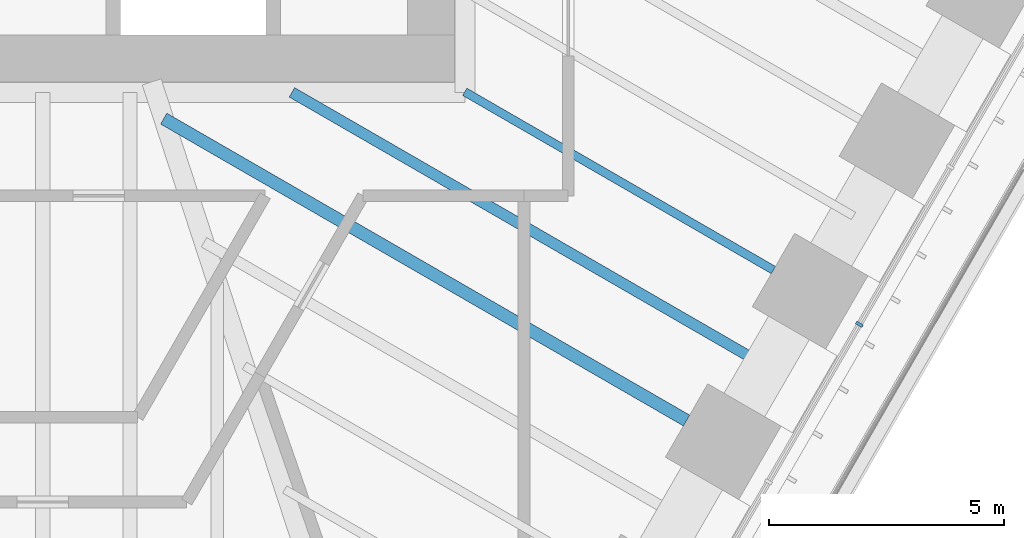
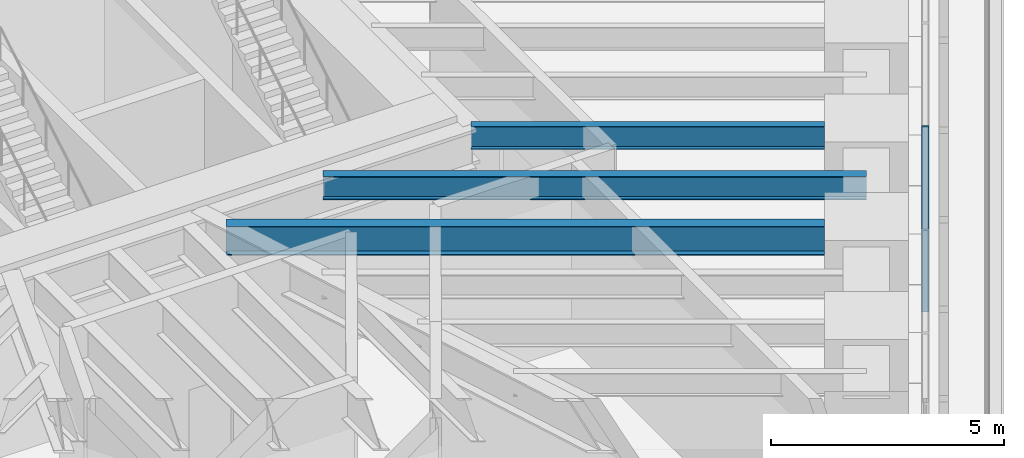
# One storey, part 99 of 228: 3 beams, 1 member, 1 element without a shape of its own.
"""IFC4 building model written with IfcOpenShell, lengths in metres."""

import ifcopenshell
import ifcopenshell.guid

model = None  # the IFC model being written
_history = None  # IfcOwnerHistory: only IFC2X3 demands one
_inside = {}  # id of a spatial element -> (the spatial element, [elements in it])
_under = {}  # id of a project, library or spatial element -> (it, [spatial elements below it])
_declared = {}  # id of a project -> (the project, [libraries it declares])
_typed = {}  # id of a type object -> (the type object, [elements of that type])
_made_of = {}  # id of a material, layer set ... -> (it, [elements and type objects made of it])


def new_model(schema):
    """Start an empty IFC model of exactly this schema.

    Asked for "IFC4X3", IfcOpenShell would pick the latest addendum, in which some entities
    have other attributes; the version numbers below select the first issue.
    IFC2X3 requires an IfcOwnerHistory on every rooted entity: one is made here for all.
    """
    global model, _history
    if schema == "IFC4X3":
        model = ifcopenshell.file(schema_version=(4, 3, 0, 0))
    else:
        model = ifcopenshell.file(schema=schema)
    _inside.clear()
    _under.clear()
    _declared.clear()
    _typed.clear()
    _made_of.clear()
    _history = None
    if model.schema == "IFC2X3":
        org = make("IfcOrganization", Name="unknown")
        user = make(
            "IfcPersonAndOrganization",
            ThePerson=make("IfcPerson", FamilyName="unknown"),
            TheOrganization=org,
        )
        app = make(
            "IfcApplication",
            ApplicationDeveloper=org,
            Version="unknown",
            ApplicationFullName="unknown",
            ApplicationIdentifier="unknown",
        )
        _history = make(
            "IfcOwnerHistory",
            OwningUser=user,
            OwningApplication=app,
            ChangeAction="ADDED",
            CreationDate=0,
        )
    return model


def make(cls, **values):
    """One entity of the class cls with the attributes given. An attribute that is None is left unset."""
    return model.create_entity(
        cls, **{name: value for name, value in values.items() if value is not None}
    )


def rooted(cls, **values):
    """An entity with a GlobalId (a new one), such as an element, a storey or a relation."""
    return make(cls, GlobalId=ifcopenshell.guid.new(), OwnerHistory=_history, **values)


def si_unit(unit_type, name, prefix=None):
    """IfcSIUnit, for example si_unit("LENGTHUNIT", "METRE", prefix="MILLI")."""
    return make("IfcSIUnit", UnitType=unit_type, Prefix=prefix, Name=name)


def assignment(units):
    """IfcUnitAssignment: the units of a project."""
    return None if units is None else make("IfcUnitAssignment", Units=units)


def point(xyz):
    """IfcCartesianPoint."""
    return None if xyz is None else make("IfcCartesianPoint", Coordinates=xyz)


def direction(xyz):
    """IfcDirection."""
    return None if xyz is None else make("IfcDirection", DirectionRatios=xyz)


def frame(location, z_axis=None, x_axis=None):
    """IfcAxis2Placement3D, a coordinate frame: its origin and axes. An axis left out is left unset."""
    return make(
        "IfcAxis2Placement3D",
        Location=point(location),
        Axis=direction(z_axis),
        RefDirection=direction(x_axis),
    )


def frame_2d(location, x_axis=None):
    """IfcAxis2Placement2D, a coordinate frame in the plane: its origin and x axis."""
    return make(
        "IfcAxis2Placement2D", Location=point(location), RefDirection=direction(x_axis)
    )


def origin():
    """The frame at (0, 0, 0) with its axes left unset."""
    return frame((0.0, 0.0, 0.0))


def origin_2d():
    """The frame at (0, 0) in the plane with its x axis left unset."""
    return frame_2d((0.0, 0.0))


def place(relative_to, where):
    """IfcLocalPlacement: puts the frame where relative to a parent placement (None: the world)."""
    return make(
        "IfcLocalPlacement", PlacementRelTo=relative_to, RelativePlacement=where
    )


def context(
    kind, dimensions, precision=None, world=None, true_north=None, identifier=None
):
    """IfcGeometricRepresentationContext, for example the 3D "Model" context."""
    return make(
        "IfcGeometricRepresentationContext",
        ContextIdentifier=identifier,
        ContextType=kind,
        CoordinateSpaceDimension=dimensions,
        Precision=precision,
        WorldCoordinateSystem=world,
        TrueNorth=true_north,
    )


def subcontext(parent, identifier, kind, view, scale=None):
    """IfcGeometricRepresentationSubContext, for example "Body" below "Model"."""
    return make(
        "IfcGeometricRepresentationSubContext",
        ContextIdentifier=identifier,
        ContextType=kind,
        ParentContext=parent,
        TargetScale=scale,
        TargetView=view,
    )


def project(units=None, contexts=None):
    """IfcProject with its units and contexts."""
    return rooted(
        "IfcProject",
        Name="project",
        RepresentationContexts=contexts,
        UnitsInContext=assignment(units),
    )


def spatial(cls, under=None, at=None, **own):
    """A site, building, storey or space (cls), placed at a placement, below another one or the project."""
    s = rooted(cls, ObjectPlacement=at, **own)
    if under is not None:
        _under.setdefault(under.id(), (under, []))[1].append(s)
    return s


def profile(cls, at=None, kind="AREA", **sizes):
    """A parametric profile (cls). Its sizes go by their IFC names, for example OverallWidth=200.0."""
    return make(cls, ProfileType=kind, Position=at, **sizes)


def rectangle(**sizes):
    """IfcRectangleProfileDef."""
    return profile("IfcRectangleProfileDef", **sizes)


def i_section(**sizes):
    """IfcIShapeProfileDef."""
    return profile("IfcIShapeProfileDef", **sizes)


def extrude(swept, where, along, depth):
    """IfcExtrudedAreaSolid: the profile swept, set in the frame where, extruded along a direction by depth."""
    return make(
        "IfcExtrudedAreaSolid",
        SweptArea=swept,
        Position=where,
        ExtrudedDirection=direction(along),
        Depth=depth,
    )


def shape(context_of_items, identifier, shape_type, items):
    """IfcShapeRepresentation: the items that make up one representation, for example the "Body"."""
    return make(
        "IfcShapeRepresentation",
        ContextOfItems=context_of_items,
        RepresentationIdentifier=identifier,
        RepresentationType=shape_type,
        Items=items,
    )


def material(Name=None, Category=None):
    """IfcMaterial."""
    return make("IfcMaterial", Name=Name, Category=Category)


def material_profile(
    of_material, cross_section, Name=None, Category=None, Priority=None
):
    """IfcMaterialProfile: a cross section and its material."""
    return make(
        "IfcMaterialProfile",
        Name=Name,
        Material=of_material,
        Profile=cross_section,
        Priority=Priority,
        Category=Category,
    )


def profile_set(profiles, Name=None, composite=None):
    """IfcMaterialProfileSet."""
    return make(
        "IfcMaterialProfileSet",
        Name=Name,
        MaterialProfiles=profiles,
        CompositeProfile=composite,
    )


def made_of(thing, what):
    """Note that an element or type object is made of a material, layer set ...; save() writes the relation."""
    if what is not None:
        _made_of.setdefault(what.id(), (what, []))[1].append(thing)
    return thing


def type_object(cls, material=None, **own):
    """A type object (cls), such as IfcWallType, which elements share."""
    return made_of(rooted(cls, **own), material)


def element(
    cls,
    number,
    at=None,
    inside=None,
    cuts=None,
    type_object=None,
    material=None,
    context=None,
    identifier="Body",
    shape_type=None,
    held_by="IfcProductDefinitionShape",
    body=None,
    shapes=None,
    **own,
):
    """One element of the class cls, such as IfcWall. Its Tag is "e" and its number.

    at: its placement. inside: the storey or other place that contains it. cuts: it is an
    opening in that element (IfcRelVoidsElement). A single representation is given by context,
    identifier, shape_type and body (its items); several are given by shapes. held_by: the class
    of the entity that holds the representations. save() writes the other relations.
    """
    e = rooted(cls, Tag="e%d" % number, ObjectPlacement=at, **own)
    if body is not None:
        shapes = [shape(context, identifier, shape_type, body)]
    if shapes is not None:
        e.Representation = make(held_by, Representations=shapes)
    if inside is not None:
        _inside.setdefault(inside.id(), (inside, []))[1].append(e)
    if cuts is not None:
        rooted(
            "IfcRelVoidsElement", RelatingBuildingElement=cuts, RelatedOpeningElement=e
        )
    if type_object is not None:
        _typed.setdefault(type_object.id(), (type_object, []))[1].append(e)
    return made_of(e, material)


def aggregate(whole, parts):
    """IfcRelAggregates: a whole, such as a stair, and the parts it consists of."""
    return rooted("IfcRelAggregates", RelatingObject=whole, RelatedObjects=parts)


def save(model, path):
    """Write the relations noted so far, then the file.

    IfcRelAggregates (storeys below a building ...), IfcRelContainedInSpatialStructure (elements
    in a storey), IfcRelDefinesByType, IfcRelAssociatesMaterial and IfcRelDeclares: one each for
    every whole, place, type object, material and project.
    """
    for whole, parts in _under.values():
        aggregate(whole, parts)
    for where, things in _inside.values():
        rooted(
            "IfcRelContainedInSpatialStructure",
            RelatedElements=things,
            RelatingStructure=where,
        )
    for kind, things in _typed.values():
        rooted("IfcRelDefinesByType", RelatedObjects=things, RelatingType=kind)
    for what, things in _made_of.values():
        rooted("IfcRelAssociatesMaterial", RelatedObjects=things, RelatingMaterial=what)
    for by, libraries in _declared.values():
        rooted("IfcRelDeclares", RelatingContext=by, RelatedDefinitions=libraries)
    model.write(path)


model = new_model("IFC4")

# Units and contexts
model_context = context("Model", 3, precision=1e-05, world=origin(), true_north=direction((0.0, 1.0)))
body_context = subcontext(model_context, "Body", "Model", "MODEL_VIEW")
ifc_project = project(units=[si_unit("LENGTHUNIT", "METRE"), si_unit("AREAUNIT", "SQUARE_METRE"), si_unit("VOLUMEUNIT", "CUBIC_METRE"), si_unit("PLANEANGLEUNIT", "RADIAN"), si_unit("MASSUNIT", "GRAM", prefix="KILO")], contexts=[model_context])

# Site, building, storey
site_placement = place(None, origin())
site = spatial("IfcSite", under=ifc_project, at=site_placement, CompositionType="ELEMENT")
building_placement = place(site_placement, origin())
building = spatial("IfcBuilding", under=site, at=building_placement, Name="Sandreach Pilgrim Tower", CompositionType="ELEMENT")
storey_placement = place(building_placement, frame((0.0, 0.0, 178.199951171875)))
storey = spatial("IfcBuildingStorey", under=building, at=storey_placement, Name="L44", CompositionType="ELEMENT", Elevation=178.199951171875)

# Curtain wall, member
ifc_material_1 = material(Name="Aluminium framed curtain wall", Category="aluminium")
curtain_wall_type = type_object("IfcCurtainWallType", Name="Upper hotel tower curtain wall", PredefinedType="NOTDEFINED", material=ifc_material_1)
curtain_wall_placement = place(storey_placement, origin())
curtain_wall = element("IfcCurtainWall", 1, at=curtain_wall_placement, inside=storey, type_object=curtain_wall_type, Name="CW-3 L44 SE", PredefinedType="NOTDEFINED")
ifc_material_2 = material(Name="Aluminium extrusion", Category="aluminium")
ifc_material_profile_1 = material_profile(ifc_material_2, rectangle(XDim=0.06494140625, YDim=0.159912109375, at=origin_2d()), Name="CW-3M 65X160")
ifc_profile_set_1 = profile_set([ifc_material_profile_1], Name="Aluminium extrusion")
member_type = type_object("IfcMemberType", Name="CW-3 mullion", PredefinedType="MULLION", material=ifc_profile_set_1)
member_placement = place(storey_placement, frame((17.359130859375, -12.25341796875, 0.0), z_axis=(0.0, 0.0, 1.0), x_axis=(-0.5, -0.866025403784, 0.0)))
member = element("IfcMember", 2, at=member_placement, type_object=member_type, Name="CW-3 mullion 6", PredefinedType="MULLION", context=body_context, shape_type="SweptSolid", body=[
    extrude(rectangle(XDim=0.06494140625, YDim=0.159912109375, at=origin_2d()), origin(), (0.0, 0.0, 1.0), 4.840087890625),
])
aggregate(curtain_wall, [member])

# Beams
ifc_material_3 = material(Name="Steel ASTM A992 Grade 50", Category="steel")
ifc_material_profile_2 = material_profile(ifc_material_3, i_section(OverallWidth=0.1787109375, OverallDepth=0.60205078125, WebThickness=0.010986328125, FlangeThickness=0.014892578125, at=origin_2d()), Name="W24X62")
ifc_profile_set_2 = profile_set([ifc_material_profile_2], Name="Steel ASTM A992 Grade 50")
beam_type_1 = type_object("IfcBeamType", Name="Floor beam W24X62", PredefinedType="BEAM", material=ifc_profile_set_2)
beam_1_placement = place(storey_placement, frame((15.531494140625, -11.098876953125, 4.5390625), z_axis=(-0.866034750921, 0.499983809935, 0.0), x_axis=(-0.499983809935, -0.866034750921, 0.0)))
element("IfcBeam", 3, at=beam_1_placement, inside=storey, type_object=beam_type_1, Name="BM L44 F18", PredefinedType="BEAM", context=body_context, shape_type="SweptSolid", body=[
    extrude(i_section(OverallWidth=0.1787109375, OverallDepth=0.60205078125, WebThickness=0.010986328125, FlangeThickness=0.014892578125, at=origin_2d()), origin(), (0.0, 0.0, 1.0), 7.573974609375),
])
ifc_material_4 = material(Name="Steel ASTM A992 Grade 50", Category="steel")
ifc_material_profile_3 = material_profile(ifc_material_4, i_section(OverallWidth=0.23046875, OverallDepth=0.6171875, WebThickness=0.01318359375, FlangeThickness=0.022216796875, at=origin_2d()), Name="W24X94")
ifc_profile_set_3 = profile_set([ifc_material_profile_3], Name="Steel ASTM A992 Grade 50")
beam_type_2 = type_object("IfcBeamType", Name="Floor beam W24X94", PredefinedType="BEAM", material=ifc_profile_set_3)
beam_2_placement = place(storey_placement, frame((15.3876953125, -13.14794921875, 4.531494140625), z_axis=(-0.866015301732, 0.50001749686, 0.0), x_axis=(-0.50001749686, -0.866015301732, 0.0)))
element("IfcBeam", 4, at=beam_2_placement, inside=storey, type_object=beam_type_2, Name="BM L44 FM18", PredefinedType="BEAM", context=body_context, shape_type="SweptSolid", body=[
    extrude(i_section(OverallWidth=0.23046875, OverallDepth=0.6171875, WebThickness=0.01318359375, FlangeThickness=0.022216796875, at=origin_2d()), origin(), (0.0, 0.0, 1.0), 11.6513671875),
])
ifc_material_5 = material(Name="Steel ASTM A992 Grade 50", Category="steel")
ifc_material_profile_4 = material_profile(ifc_material_5, i_section(OverallWidth=0.2666015625, OverallDepth=0.761962890625, WebThickness=0.014404296875, FlangeThickness=0.021484375, at=origin_2d()), Name="W30X116")
ifc_profile_set_4 = profile_set([ifc_material_profile_4], Name="Steel ASTM A992 Grade 50")
beam_type_3 = type_object("IfcBeamType", Name="Floor beam W30X116", PredefinedType="BEAM", material=ifc_profile_set_4)
beam_3_placement = place(storey_placement, frame((13.685302734375, -14.296630859375, 4.458984375), z_axis=(-0.866032238029, 0.499988162555, 0.0), x_axis=(-0.499988162555, -0.866032238029, 0.0)))
element("IfcBeam", 5, at=beam_3_placement, inside=storey, type_object=beam_type_3, Name="BM L44 F19", PredefinedType="BEAM", context=body_context, shape_type="SweptSolid", body=[
    extrude(i_section(OverallWidth=0.2666015625, OverallDepth=0.761962890625, WebThickness=0.014404296875, FlangeThickness=0.021484375, at=origin_2d()), origin(), (0.0, 0.0, 1.0), 12.831787109375),
])

save(model, "model.ifc")
